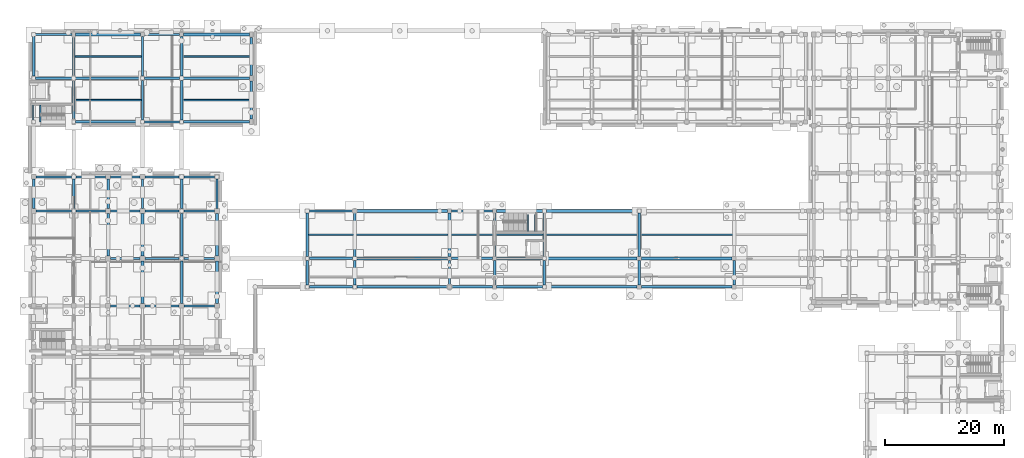
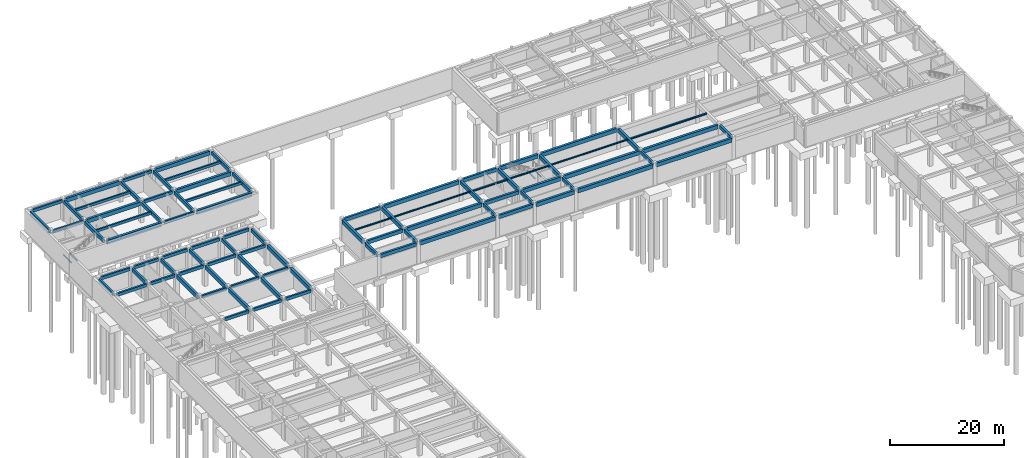
# One storey, part 17 of 35: 93 beams.
"""IFC4 building model written with IfcOpenShell, lengths in metres."""

from ifc_helpers import new_model, si_unit, direction, frame, origin, origin_2d, place, context, subcontext, project, spatial, rectangle, i_section, extrude, material, material_profile, profile_set, type_object, element, save


model = new_model("IFC4")

# Units and contexts
model_context = context("Model", 3, precision=1e-05, world=origin(), true_north=direction((0.0, 1.0)))
body_context = subcontext(model_context, "Body", "Model", "MODEL_VIEW")
ifc_project = project(units=[si_unit("LENGTHUNIT", "METRE"), si_unit("AREAUNIT", "SQUARE_METRE"), si_unit("VOLUMEUNIT", "CUBIC_METRE"), si_unit("PLANEANGLEUNIT", "RADIAN"), si_unit("MASSUNIT", "GRAM", prefix="KILO")], contexts=[model_context])

# Site, building, storey
site_placement = place(None, origin())
site = spatial("IfcSite", under=ifc_project, at=site_placement, CompositionType="ELEMENT")
building_placement = place(site_placement, origin())
building = spatial("IfcBuilding", under=site, at=building_placement, Name="Cinchona Park Media Centre", CompositionType="ELEMENT")
storey_placement = place(building_placement, frame((0.0, 0.0, -4.800048828125)))
storey = spatial("IfcBuildingStorey", under=building, at=storey_placement, Name="B1", CompositionType="ELEMENT", Elevation=-4.800048828125)

# Beams
ifc_material_1 = material(Name="Concrete C35/45", Category="concrete")
ifc_material_profile_1 = material_profile(ifc_material_1, rectangle(XDim=0.39990234375, YDim=0.75, at=origin_2d()), Name="RB 400X750")
ifc_profile_set_1 = profile_set([ifc_material_profile_1], Name="Concrete C35/45")
beam_type_1 = type_object("IfcBeamType", Name="BEAM-B01-RB400X750", PredefinedType="BEAM", material=ifc_profile_set_1)
beam_1_placement = place(storey_placement, frame((8.639892578125, 110.35009765625, 4.10009765625), z_axis=(0.0, 1.0, 0.0), x_axis=(-1.0, 0.0, 0.0)))
element("IfcBeam", 1, at=beam_1_placement, inside=storey, type_object=beam_type_1, Name="Girder B01 B1", PredefinedType="BEAM", context=body_context, shape_type="SweptSolid", body=[
    extrude(rectangle(XDim=0.39990234375, YDim=0.75, at=origin_2d()), origin(), (0.0, 0.0, 1.0), 6.659912109375),
])
for number, where, z_axis, x_axis, name in (
    (2, (15.39990234375, 103.090087890625, 4.10009765625), (0.0, 1.0, 0.0), (-1.0, 0.0, 0.0), "Girder B01 B1"),
    (3, (15.39990234375, 110.449951171875, 4.10009765625), (0.0, 1.0, 0.0), (-1.0, 0.0, 0.0), "Girder B01 B1"),
):
    element("IfcBeam", number, at=place(storey_placement, frame(where, z_axis=z_axis, x_axis=x_axis)), inside=storey, type_object=beam_type_1, Name=name, PredefinedType="BEAM", context=body_context, shape_type="SweptSolid", body=[
        extrude(rectangle(XDim=0.39990234375, YDim=0.75, at=origin_2d()), origin(), (0.0, 0.0, 1.0), 6.4599609375),
    ])
for number, where, z_axis, x_axis, name in (
    (4, (27.0, 102.989990234375, 4.10009765625), (0.0, 1.0, 0.0), (-1.0, 0.0, 0.0), "Girder B01 B1"),
    (5, (27.0, 110.35009765625, 4.10009765625), (0.0, 1.0, 0.0), (-1.0, 0.0, 0.0), "Girder B01 B1"),
    (6, (33.60009765625, 102.989990234375, 4.10009765625), (0.0, 1.0, 0.0), (-1.0, 0.0, 0.0), "Girder B01 B1"),
    (7, (33.60009765625, 110.35009765625, 4.10009765625), (0.0, 1.0, 0.0), (-1.0, 0.0, 0.0), "Girder B01 B1"),
):
    element("IfcBeam", number, at=place(storey_placement, frame(where, z_axis=z_axis, x_axis=x_axis)), inside=storey, type_object=beam_type_1, Name=name, PredefinedType="BEAM", context=body_context, shape_type="SweptSolid", body=[
        extrude(rectangle(XDim=0.39990234375, YDim=0.75, at=origin_2d()), origin(), (0.0, 0.0, 1.0), 6.659912109375),
    ])
for number, where, z_axis, x_axis, name in (
    (8, (45.360107421875, 103.090087890625, 4.10009765625), (0.0, 1.0, 0.0), (-1.0, 0.0, 0.0), "Girder B01 B1"),
    (9, (45.360107421875, 110.449951171875, 4.10009765625), (0.0, 1.0, 0.0), (-1.0, 0.0, 0.0), "Girder B01 B1"),
):
    element("IfcBeam", number, at=place(storey_placement, frame(where, z_axis=z_axis, x_axis=x_axis)), inside=storey, type_object=beam_type_1, Name=name, PredefinedType="BEAM", context=body_context, shape_type="SweptSolid", body=[
        extrude(rectangle(XDim=0.39990234375, YDim=0.75, at=origin_2d()), origin(), (0.0, 0.0, 1.0), 6.4599609375),
    ])
for number, where, z_axis, x_axis, name in (
    (10, (8.639892578125, 88.0, 4.125), (0.0, 1.0, 0.0), (-1.0, 0.0, 0.0), "Girder B01 B1"),
    (11, (15.39990234375, 88.0, 4.125), (0.0, 1.0, 0.0), (-1.0, 0.0, 0.0), "Girder B01 B1"),
    (12, (21.199951171875, 88.0, 4.125), (0.0, 1.0, 0.0), (-1.0, 0.0, 0.0), "Girder B01 B1"),
    (13, (27.0, 88.0, 4.125), (0.0, 1.0, 0.0), (-1.0, 0.0, 0.0), "Girder B01 B1"),
    (14, (33.60009765625, 88.0, 4.125), (0.0, 1.0, 0.0), (-1.0, 0.0, 0.0), "Girder B01 B1"),
    (15, (39.56005859375, 88.0, 4.125), (0.0, 1.0, 0.0), (-1.0, 0.0, 0.0), "Girder B01 B1"),
):
    element("IfcBeam", number, at=place(storey_placement, frame(where, z_axis=z_axis, x_axis=x_axis)), inside=storey, type_object=beam_type_1, Name=name, PredefinedType="BEAM", context=body_context, shape_type="SweptSolid", body=[
        extrude(rectangle(XDim=0.39990234375, YDim=0.75, at=origin_2d()), origin(), (0.0, 0.0, 1.0), 4.9599609375),
    ])
beam_2_placement = place(storey_placement, frame((55.14990234375, 74.800048828125, 4.14501953125), z_axis=(1.0, 0.0, 0.0), x_axis=(0.0, 1.0, 0.0)))
element("IfcBeam", 16, at=beam_2_placement, inside=storey, type_object=beam_type_1, Name="Beam B01 B1", PredefinedType="BEAM", context=body_context, shape_type="SweptSolid", body=[
    extrude(rectangle(XDim=0.39990234375, YDim=0.75, at=origin_2d()), origin(), (0.0, 0.0, 1.0), 7.300048828125),
])
beam_3_placement = place(storey_placement, frame((79.14990234375, 74.800048828125, 4.14501953125), z_axis=(1.0, 0.0, 0.0), x_axis=(0.0, 1.0, 0.0)))
element("IfcBeam", 17, at=beam_3_placement, inside=storey, type_object=beam_type_1, Name="Beam B01 B1", PredefinedType="BEAM", context=body_context, shape_type="SweptSolid", body=[
    extrude(rectangle(XDim=0.39990234375, YDim=0.75, at=origin_2d()), origin(), (0.0, 0.0, 1.0), 6.900146484375),
])
beam_4_placement = place(storey_placement, frame((55.14990234375, 79.60009765625, 4.14501953125), z_axis=(1.0, 0.0, 0.0), x_axis=(0.0, 1.0, 0.0)))
element("IfcBeam", 18, at=beam_4_placement, inside=storey, type_object=beam_type_1, Name="Beam B01 B1", PredefinedType="BEAM", context=body_context, shape_type="SweptSolid", body=[
    extrude(rectangle(XDim=0.39990234375, YDim=0.75, at=origin_2d()), origin(), (0.0, 0.0, 1.0), 7.300048828125),
])
beam_5_placement = place(storey_placement, frame((79.14990234375, 79.60009765625, 4.14501953125), z_axis=(1.0, 0.0, 0.0), x_axis=(0.0, 1.0, 0.0)))
element("IfcBeam", 19, at=beam_5_placement, inside=storey, type_object=beam_type_1, Name="Beam B01 B1", PredefinedType="BEAM", context=body_context, shape_type="SweptSolid", body=[
    extrude(rectangle(XDim=0.39990234375, YDim=0.75, at=origin_2d()), origin(), (0.0, 0.0, 1.0), 6.900146484375),
])
beam_6_placement = place(storey_placement, frame((55.14990234375, 87.60009765625, 4.14501953125), z_axis=(1.0, 0.0, 0.0), x_axis=(0.0, 1.0, 0.0)))
element("IfcBeam", 20, at=beam_6_placement, inside=storey, type_object=beam_type_1, Name="Beam B01 B1", PredefinedType="BEAM", context=body_context, shape_type="SweptSolid", body=[
    extrude(rectangle(XDim=0.39990234375, YDim=0.75, at=origin_2d()), origin(), (0.0, 0.0, 1.0), 7.300048828125),
])
beam_7_placement = place(storey_placement, frame((79.14990234375, 87.60009765625, 4.14501953125), z_axis=(1.0, 0.0, 0.0), x_axis=(0.0, 1.0, 0.0)))
element("IfcBeam", 21, at=beam_7_placement, inside=storey, type_object=beam_type_1, Name="Beam B01 B1", PredefinedType="BEAM", context=body_context, shape_type="SweptSolid", body=[
    extrude(rectangle(XDim=0.39990234375, YDim=0.75, at=origin_2d()), origin(), (0.0, 0.0, 1.0), 6.900146484375),
])
for number, where, z_axis, x_axis, name in (
    (22, (54.800048828125, 75.14990234375, 4.14501953125), (0.0, 1.0, 0.0), (-1.0, 0.0, 0.0), "Girder B01 B1"),
    (23, (62.800048828125, 75.14990234375, 4.14501953125), (0.0, 1.0, 0.0), (-1.0, 0.0, 0.0), "Girder B01 B1"),
    (24, (78.800048828125, 75.14990234375, 4.14501953125), (0.0, 1.0, 0.0), (-1.0, 0.0, 0.0), "Girder B01 B1"),
    (25, (86.39990234375, 75.14990234375, 4.14501953125), (0.0, 1.0, 0.0), (-1.0, 0.0, 0.0), "Girder B01 B1"),
    (26, (94.800048828125, 75.14990234375, 4.14501953125), (0.0, 1.0, 0.0), (-1.0, 0.0, 0.0), "Girder B01 B1"),
    (27, (110.800048828125, 75.14990234375, 4.14501953125), (0.0, 1.0, 0.0), (-1.0, 0.0, 0.0), "Girder B01 B1"),
    (28, (126.800048828125, 75.14990234375, 4.14501953125), (0.0, 1.0, 0.0), (-1.0, 0.0, 0.0), "Girder B01 B1"),
):
    element("IfcBeam", number, at=place(storey_placement, frame(where, z_axis=z_axis, x_axis=x_axis)), inside=storey, type_object=beam_type_1, Name=name, PredefinedType="BEAM", context=body_context, shape_type="SweptSolid", body=[
        extrude(rectangle(XDim=0.39990234375, YDim=0.75, at=origin_2d()), origin(), (0.0, 0.0, 1.0), 4.10009765625),
    ])
ifc_material_2 = material(Name="Concrete C35/45", Category="concrete")
ifc_material_profile_2 = material_profile(ifc_material_2, rectangle(XDim=0.449951171875, YDim=0.85009765625, at=origin_2d()), Name="RB 450X850")
ifc_profile_set_2 = profile_set([ifc_material_profile_2], Name="Concrete C35/45")
beam_type_2 = type_object("IfcBeamType", Name="BEAM-B02-RB450X850", PredefinedType="BEAM", material=ifc_profile_set_2)
beam_8_placement = place(storey_placement, frame((15.699951171875, 102.639892578125, 4.050048828125), z_axis=(1.0, 0.0, 0.0), x_axis=(0.0, 1.0, 0.0)))
element("IfcBeam", 29, at=beam_8_placement, inside=storey, type_object=beam_type_2, Name="Beam B02 B1", PredefinedType="BEAM", context=body_context, shape_type="SweptSolid", body=[
    extrude(rectangle(XDim=0.449951171875, YDim=0.85009765625, at=origin_2d()), origin(), (0.0, 0.0, 1.0), 10.949951171875),
])
beam_9_placement = place(storey_placement, frame((33.949951171875, 102.639892578125, 4.050048828125), z_axis=(1.0, 0.0, 0.0), x_axis=(0.0, 1.0, 0.0)))
element("IfcBeam", 30, at=beam_9_placement, inside=storey, type_object=beam_type_2, Name="Beam B02 B1", PredefinedType="BEAM", context=body_context, shape_type="SweptSolid", body=[
    extrude(rectangle(XDim=0.449951171875, YDim=0.85009765625, at=origin_2d()), origin(), (0.0, 0.0, 1.0), 11.110107421875),
])
beam_10_placement = place(storey_placement, frame((15.699951171875, 110.0, 4.050048828125), z_axis=(1.0, 0.0, 0.0), x_axis=(0.0, 1.0, 0.0)))
element("IfcBeam", 31, at=beam_10_placement, inside=storey, type_object=beam_type_2, Name="Beam B02 B1", PredefinedType="BEAM", context=body_context, shape_type="SweptSolid", body=[
    extrude(rectangle(XDim=0.449951171875, YDim=0.85009765625, at=origin_2d()), origin(), (0.0, 0.0, 1.0), 10.949951171875),
])
beam_11_placement = place(storey_placement, frame((33.949951171875, 110.0, 4.050048828125), z_axis=(1.0, 0.0, 0.0), x_axis=(0.0, 1.0, 0.0)))
element("IfcBeam", 32, at=beam_11_placement, inside=storey, type_object=beam_type_2, Name="Beam B02 B1", PredefinedType="BEAM", context=body_context, shape_type="SweptSolid", body=[
    extrude(rectangle(XDim=0.449951171875, YDim=0.85009765625, at=origin_2d()), origin(), (0.0, 0.0, 1.0), 11.110107421875),
])
beam_12_placement = place(storey_placement, frame((15.699951171875, 117.360107421875, 4.050048828125), z_axis=(1.0, 0.0, 0.0), x_axis=(0.0, 1.0, 0.0)))
element("IfcBeam", 33, at=beam_12_placement, inside=storey, type_object=beam_type_2, Name="Beam B02 B1", PredefinedType="BEAM", context=body_context, shape_type="SweptSolid", body=[
    extrude(rectangle(XDim=0.449951171875, YDim=0.85009765625, at=origin_2d()), origin(), (0.0, 0.0, 1.0), 10.949951171875),
])
beam_13_placement = place(storey_placement, frame((33.949951171875, 117.360107421875, 4.050048828125), z_axis=(1.0, 0.0, 0.0), x_axis=(0.0, 1.0, 0.0)))
element("IfcBeam", 34, at=beam_13_placement, inside=storey, type_object=beam_type_2, Name="Beam B02 B1", PredefinedType="BEAM", context=body_context, shape_type="SweptSolid", body=[
    extrude(rectangle(XDim=0.449951171875, YDim=0.85009765625, at=origin_2d()), origin(), (0.0, 0.0, 1.0), 11.110107421875),
])
for number, where, z_axis, x_axis, name in (
    (35, (21.199951171875, 80.0, 4.074951171875), (0.0, 1.0, 0.0), (-1.0, 0.0, 0.0), "Girder B02 B1"),
    (36, (27.0, 72.0, 4.074951171875), (0.0, 1.0, 0.0), (-1.0, 0.0, 0.0), "Girder B02 B1"),
    (37, (27.0, 80.0, 4.074951171875), (0.0, 1.0, 0.0), (-1.0, 0.0, 0.0), "Girder B02 B1"),
    (38, (33.60009765625, 72.0, 4.074951171875), (0.0, 1.0, 0.0), (-1.0, 0.0, 0.0), "Girder B02 B1"),
    (39, (33.60009765625, 80.0, 4.074951171875), (0.0, 1.0, 0.0), (-1.0, 0.0, 0.0), "Girder B02 B1"),
    (40, (39.56005859375, 72.0, 4.074951171875), (0.0, 1.0, 0.0), (-1.0, 0.0, 0.0), "Girder B02 B1"),
    (41, (39.56005859375, 80.0, 4.074951171875), (0.0, 1.0, 0.0), (-1.0, 0.0, 0.0), "Girder B02 B1"),
):
    element("IfcBeam", number, at=place(storey_placement, frame(where, z_axis=z_axis, x_axis=x_axis)), inside=storey, type_object=beam_type_2, Name=name, PredefinedType="BEAM", context=body_context, shape_type="SweptSolid", body=[
        extrude(rectangle(XDim=0.449951171875, YDim=0.85009765625, at=origin_2d()), origin(), (0.0, 0.0, 1.0), 7.199951171875),
    ])
beam_14_placement = place(storey_placement, frame((63.14990234375, 74.800048828125, 4.094970703125), z_axis=(1.0, 0.0, 0.0), x_axis=(0.0, 1.0, 0.0)))
element("IfcBeam", 42, at=beam_14_placement, inside=storey, type_object=beam_type_2, Name="Beam B02 B1", PredefinedType="BEAM", context=body_context, shape_type="SweptSolid", body=[
    extrude(rectangle(XDim=0.449951171875, YDim=0.85009765625, at=origin_2d()), origin(), (0.0, 0.0, 1.0), 15.300048828125),
])
beam_15_placement = place(storey_placement, frame((86.75, 74.800048828125, 4.094970703125), z_axis=(1.0, 0.0, 0.0), x_axis=(0.0, 1.0, 0.0)))
element("IfcBeam", 43, at=beam_15_placement, inside=storey, type_object=beam_type_2, Name="Beam B02 B1", PredefinedType="BEAM", context=body_context, shape_type="SweptSolid", body=[
    extrude(rectangle(XDim=0.449951171875, YDim=0.85009765625, at=origin_2d()), origin(), (0.0, 0.0, 1.0), 7.699951171875),
])
for number, where, z_axis, x_axis, name in (
    (44, (95.14990234375, 74.800048828125, 4.094970703125), (1.0, 0.0, 0.0), (0.0, 1.0, 0.0), "Beam B02 B1"),
    (45, (111.14990234375, 74.800048828125, 4.094970703125), (1.0, 0.0, 0.0), (0.0, 1.0, 0.0), "Beam B02 B1"),
    (46, (63.14990234375, 79.60009765625, 4.094970703125), (1.0, 0.0, 0.0), (0.0, 1.0, 0.0), "Beam B02 B1"),
):
    element("IfcBeam", number, at=place(storey_placement, frame(where, z_axis=z_axis, x_axis=x_axis)), inside=storey, type_object=beam_type_2, Name=name, PredefinedType="BEAM", context=body_context, shape_type="SweptSolid", body=[
        extrude(rectangle(XDim=0.449951171875, YDim=0.85009765625, at=origin_2d()), origin(), (0.0, 0.0, 1.0), 15.300048828125),
    ])
beam_16_placement = place(storey_placement, frame((86.75, 79.60009765625, 4.094970703125), z_axis=(1.0, 0.0, 0.0), x_axis=(0.0, 1.0, 0.0)))
element("IfcBeam", 47, at=beam_16_placement, inside=storey, type_object=beam_type_2, Name="Beam B02 B1", PredefinedType="BEAM", context=body_context, shape_type="SweptSolid", body=[
    extrude(rectangle(XDim=0.449951171875, YDim=0.85009765625, at=origin_2d()), origin(), (0.0, 0.0, 1.0), 7.699951171875),
])
for number, where, z_axis, x_axis, name in (
    (48, (95.14990234375, 79.60009765625, 4.094970703125), (1.0, 0.0, 0.0), (0.0, 1.0, 0.0), "Beam B02 B1"),
    (49, (111.14990234375, 79.60009765625, 4.094970703125), (1.0, 0.0, 0.0), (0.0, 1.0, 0.0), "Beam B02 B1"),
    (50, (63.14990234375, 87.60009765625, 4.094970703125), (1.0, 0.0, 0.0), (0.0, 1.0, 0.0), "Beam B02 B1"),
):
    element("IfcBeam", number, at=place(storey_placement, frame(where, z_axis=z_axis, x_axis=x_axis)), inside=storey, type_object=beam_type_2, Name=name, PredefinedType="BEAM", context=body_context, shape_type="SweptSolid", body=[
        extrude(rectangle(XDim=0.449951171875, YDim=0.85009765625, at=origin_2d()), origin(), (0.0, 0.0, 1.0), 15.300048828125),
    ])
beam_17_placement = place(storey_placement, frame((86.75, 87.60009765625, 4.094970703125), z_axis=(1.0, 0.0, 0.0), x_axis=(0.0, 1.0, 0.0)))
element("IfcBeam", 51, at=beam_17_placement, inside=storey, type_object=beam_type_2, Name="Beam B02 B1", PredefinedType="BEAM", context=body_context, shape_type="SweptSolid", body=[
    extrude(rectangle(XDim=0.449951171875, YDim=0.85009765625, at=origin_2d()), origin(), (0.0, 0.0, 1.0), 7.699951171875),
])
beam_18_placement = place(storey_placement, frame((95.14990234375, 87.60009765625, 4.094970703125), z_axis=(1.0, 0.0, 0.0), x_axis=(0.0, 1.0, 0.0)))
element("IfcBeam", 52, at=beam_18_placement, inside=storey, type_object=beam_type_2, Name="Beam B02 B1", PredefinedType="BEAM", context=body_context, shape_type="SweptSolid", body=[
    extrude(rectangle(XDim=0.449951171875, YDim=0.85009765625, at=origin_2d()), origin(), (0.0, 0.0, 1.0), 15.300048828125),
])
for number, where, z_axis, x_axis, name in (
    (53, (54.800048828125, 79.949951171875, 4.094970703125), (0.0, 1.0, 0.0), (-1.0, 0.0, 0.0), "Girder B02 B1"),
    (54, (62.800048828125, 79.949951171875, 4.094970703125), (0.0, 1.0, 0.0), (-1.0, 0.0, 0.0), "Girder B02 B1"),
    (55, (78.800048828125, 79.949951171875, 4.094970703125), (0.0, 1.0, 0.0), (-1.0, 0.0, 0.0), "Girder B02 B1"),
    (56, (86.39990234375, 79.949951171875, 4.094970703125), (0.0, 1.0, 0.0), (-1.0, 0.0, 0.0), "Girder B02 B1"),
    (57, (94.800048828125, 79.949951171875, 4.094970703125), (0.0, 1.0, 0.0), (-1.0, 0.0, 0.0), "Girder B02 B1"),
    (58, (110.800048828125, 79.949951171875, 4.094970703125), (0.0, 1.0, 0.0), (-1.0, 0.0, 0.0), "Girder B02 B1"),
):
    element("IfcBeam", number, at=place(storey_placement, frame(where, z_axis=z_axis, x_axis=x_axis)), inside=storey, type_object=beam_type_2, Name=name, PredefinedType="BEAM", context=body_context, shape_type="SweptSolid", body=[
        extrude(rectangle(XDim=0.449951171875, YDim=0.85009765625, at=origin_2d()), origin(), (0.0, 0.0, 1.0), 7.300048828125),
    ])
ifc_material_3 = material(Name="Concrete C35/45", Category="concrete")
ifc_material_profile_3 = material_profile(ifc_material_3, rectangle(XDim=0.35009765625, YDim=0.64990234375, at=origin_2d()), Name="RB 350X650")
ifc_profile_set_3 = profile_set([ifc_material_profile_3], Name="Concrete C35/45")
beam_type_3 = type_object("IfcBeamType", Name="BEAM-B04-RB350X650", PredefinedType="BEAM", material=ifc_profile_set_3)
beam_19_placement = place(storey_placement, frame((27.35009765625, 102.639892578125, 4.150146484375), z_axis=(1.0, 0.0, 0.0), x_axis=(0.0, 1.0, 0.0)))
element("IfcBeam", 59, at=beam_19_placement, inside=storey, type_object=beam_type_3, Name="Beam B04 B1", PredefinedType="BEAM", context=body_context, shape_type="SweptSolid", body=[
    extrude(rectangle(XDim=0.35009765625, YDim=0.64990234375, at=origin_2d()), origin(), (0.0, 0.0, 1.0), 5.89990234375),
])
beam_20_placement = place(storey_placement, frame((8.989990234375, 110.0, 4.150146484375), z_axis=(1.0, 0.0, 0.0), x_axis=(0.0, 1.0, 0.0)))
element("IfcBeam", 60, at=beam_20_placement, inside=storey, type_object=beam_type_3, Name="Beam B04 B1", PredefinedType="BEAM", context=body_context, shape_type="SweptSolid", body=[
    extrude(rectangle(XDim=0.35009765625, YDim=0.64990234375, at=origin_2d()), origin(), (0.0, 0.0, 1.0), 6.110107421875),
])
beam_21_placement = place(storey_placement, frame((27.35009765625, 110.0, 4.150146484375), z_axis=(1.0, 0.0, 0.0), x_axis=(0.0, 1.0, 0.0)))
element("IfcBeam", 61, at=beam_21_placement, inside=storey, type_object=beam_type_3, Name="Beam B04 B1", PredefinedType="BEAM", context=body_context, shape_type="SweptSolid", body=[
    extrude(rectangle(XDim=0.35009765625, YDim=0.64990234375, at=origin_2d()), origin(), (0.0, 0.0, 1.0), 5.89990234375),
])
beam_22_placement = place(storey_placement, frame((8.989990234375, 117.360107421875, 4.150146484375), z_axis=(1.0, 0.0, 0.0), x_axis=(0.0, 1.0, 0.0)))
element("IfcBeam", 62, at=beam_22_placement, inside=storey, type_object=beam_type_3, Name="Beam B04 B1", PredefinedType="BEAM", context=body_context, shape_type="SweptSolid", body=[
    extrude(rectangle(XDim=0.35009765625, YDim=0.64990234375, at=origin_2d()), origin(), (0.0, 0.0, 1.0), 6.110107421875),
])
beam_23_placement = place(storey_placement, frame((27.35009765625, 117.360107421875, 4.150146484375), z_axis=(1.0, 0.0, 0.0), x_axis=(0.0, 1.0, 0.0)))
element("IfcBeam", 63, at=beam_23_placement, inside=storey, type_object=beam_type_3, Name="Beam B04 B1", PredefinedType="BEAM", context=body_context, shape_type="SweptSolid", body=[
    extrude(rectangle(XDim=0.35009765625, YDim=0.64990234375, at=origin_2d()), origin(), (0.0, 0.0, 1.0), 5.89990234375),
])
beam_24_placement = place(storey_placement, frame((21.60009765625, 71.60009765625, 4.175048828125), z_axis=(1.0, 0.0, 0.0), x_axis=(0.0, 1.0, 0.0)))
element("IfcBeam", 64, at=beam_24_placement, inside=storey, type_object=beam_type_3, Name="Beam B04 B1", PredefinedType="BEAM", context=body_context, shape_type="SweptSolid", body=[
    extrude(rectangle(XDim=0.35009765625, YDim=0.64990234375, at=origin_2d()), origin(), (0.0, 0.0, 1.0), 5.0),
])
beam_25_placement = place(storey_placement, frame((27.39990234375, 71.60009765625, 4.175048828125), z_axis=(1.0, 0.0, 0.0), x_axis=(0.0, 1.0, 0.0)))
element("IfcBeam", 65, at=beam_25_placement, inside=storey, type_object=beam_type_3, Name="Beam B04 B1", PredefinedType="BEAM", context=body_context, shape_type="SweptSolid", body=[
    extrude(rectangle(XDim=0.35009765625, YDim=0.64990234375, at=origin_2d()), origin(), (0.0, 0.0, 1.0), 5.800048828125),
])
beam_26_placement = place(storey_placement, frame((34.0, 71.60009765625, 4.175048828125), z_axis=(1.0, 0.0, 0.0), x_axis=(0.0, 1.0, 0.0)))
element("IfcBeam", 66, at=beam_26_placement, inside=storey, type_object=beam_type_3, Name="Beam B04 B1", PredefinedType="BEAM", context=body_context, shape_type="SweptSolid", body=[
    extrude(rectangle(XDim=0.35009765625, YDim=0.64990234375, at=origin_2d()), origin(), (0.0, 0.0, 1.0), 5.159912109375),
])
beam_27_placement = place(storey_placement, frame((21.60009765625, 79.60009765625, 4.175048828125), z_axis=(1.0, 0.0, 0.0), x_axis=(0.0, 1.0, 0.0)))
element("IfcBeam", 67, at=beam_27_placement, inside=storey, type_object=beam_type_3, Name="Beam B04 B1", PredefinedType="BEAM", context=body_context, shape_type="SweptSolid", body=[
    extrude(rectangle(XDim=0.35009765625, YDim=0.64990234375, at=origin_2d()), origin(), (0.0, 0.0, 1.0), 5.0),
])
beam_28_placement = place(storey_placement, frame((27.39990234375, 79.60009765625, 4.175048828125), z_axis=(1.0, 0.0, 0.0), x_axis=(0.0, 1.0, 0.0)))
element("IfcBeam", 68, at=beam_28_placement, inside=storey, type_object=beam_type_3, Name="Beam B04 B1", PredefinedType="BEAM", context=body_context, shape_type="SweptSolid", body=[
    extrude(rectangle(XDim=0.35009765625, YDim=0.64990234375, at=origin_2d()), origin(), (0.0, 0.0, 1.0), 5.800048828125),
])
beam_29_placement = place(storey_placement, frame((34.0, 79.60009765625, 4.175048828125), z_axis=(1.0, 0.0, 0.0), x_axis=(0.0, 1.0, 0.0)))
element("IfcBeam", 69, at=beam_29_placement, inside=storey, type_object=beam_type_3, Name="Beam B04 B1", PredefinedType="BEAM", context=body_context, shape_type="SweptSolid", body=[
    extrude(rectangle(XDim=0.35009765625, YDim=0.64990234375, at=origin_2d()), origin(), (0.0, 0.0, 1.0), 5.159912109375),
])
beam_30_placement = place(storey_placement, frame((9.0400390625, 87.60009765625, 4.175048828125), z_axis=(1.0, 0.0, 0.0), x_axis=(0.0, 1.0, 0.0)))
element("IfcBeam", 70, at=beam_30_placement, inside=storey, type_object=beam_type_3, Name="Beam B04 B1", PredefinedType="BEAM", context=body_context, shape_type="SweptSolid", body=[
    extrude(rectangle(XDim=0.35009765625, YDim=0.64990234375, at=origin_2d()), origin(), (0.0, 0.0, 1.0), 5.9599609375),
])
for number, where, z_axis, x_axis, name in (
    (71, (15.800048828125, 87.60009765625, 4.175048828125), (1.0, 0.0, 0.0), (0.0, 1.0, 0.0), "Beam B04 B1"),
    (72, (21.60009765625, 87.60009765625, 4.175048828125), (1.0, 0.0, 0.0), (0.0, 1.0, 0.0), "Beam B04 B1"),
):
    element("IfcBeam", number, at=place(storey_placement, frame(where, z_axis=z_axis, x_axis=x_axis)), inside=storey, type_object=beam_type_3, Name=name, PredefinedType="BEAM", context=body_context, shape_type="SweptSolid", body=[
        extrude(rectangle(XDim=0.35009765625, YDim=0.64990234375, at=origin_2d()), origin(), (0.0, 0.0, 1.0), 5.0),
    ])
beam_31_placement = place(storey_placement, frame((27.39990234375, 87.60009765625, 4.175048828125), z_axis=(1.0, 0.0, 0.0), x_axis=(0.0, 1.0, 0.0)))
element("IfcBeam", 73, at=beam_31_placement, inside=storey, type_object=beam_type_3, Name="Beam B04 B1", PredefinedType="BEAM", context=body_context, shape_type="SweptSolid", body=[
    extrude(rectangle(XDim=0.35009765625, YDim=0.64990234375, at=origin_2d()), origin(), (0.0, 0.0, 1.0), 5.800048828125),
])
beam_32_placement = place(storey_placement, frame((34.0, 87.60009765625, 4.175048828125), z_axis=(1.0, 0.0, 0.0), x_axis=(0.0, 1.0, 0.0)))
element("IfcBeam", 74, at=beam_32_placement, inside=storey, type_object=beam_type_3, Name="Beam B04 B1", PredefinedType="BEAM", context=body_context, shape_type="SweptSolid", body=[
    extrude(rectangle(XDim=0.35009765625, YDim=0.64990234375, at=origin_2d()), origin(), (0.0, 0.0, 1.0), 5.159912109375),
])
beam_33_placement = place(storey_placement, frame((9.0400390625, 93.360107421875, 4.175048828125), z_axis=(1.0, 0.0, 0.0), x_axis=(0.0, 1.0, 0.0)))
element("IfcBeam", 75, at=beam_33_placement, inside=storey, type_object=beam_type_3, Name="Beam B04 B1", PredefinedType="BEAM", context=body_context, shape_type="SweptSolid", body=[
    extrude(rectangle(XDim=0.35009765625, YDim=0.64990234375, at=origin_2d()), origin(), (0.0, 0.0, 1.0), 5.9599609375),
])
for number, where, z_axis, x_axis, name in (
    (76, (15.800048828125, 93.360107421875, 4.175048828125), (1.0, 0.0, 0.0), (0.0, 1.0, 0.0), "Beam B04 B1"),
    (77, (21.60009765625, 93.360107421875, 4.175048828125), (1.0, 0.0, 0.0), (0.0, 1.0, 0.0), "Beam B04 B1"),
):
    element("IfcBeam", number, at=place(storey_placement, frame(where, z_axis=z_axis, x_axis=x_axis)), inside=storey, type_object=beam_type_3, Name=name, PredefinedType="BEAM", context=body_context, shape_type="SweptSolid", body=[
        extrude(rectangle(XDim=0.35009765625, YDim=0.64990234375, at=origin_2d()), origin(), (0.0, 0.0, 1.0), 5.0),
    ])
beam_34_placement = place(storey_placement, frame((27.39990234375, 93.360107421875, 4.175048828125), z_axis=(1.0, 0.0, 0.0), x_axis=(0.0, 1.0, 0.0)))
element("IfcBeam", 78, at=beam_34_placement, inside=storey, type_object=beam_type_3, Name="Beam B04 B1", PredefinedType="BEAM", context=body_context, shape_type="SweptSolid", body=[
    extrude(rectangle(XDim=0.35009765625, YDim=0.64990234375, at=origin_2d()), origin(), (0.0, 0.0, 1.0), 5.800048828125),
])
beam_35_placement = place(storey_placement, frame((34.0, 93.360107421875, 4.175048828125), z_axis=(1.0, 0.0, 0.0), x_axis=(0.0, 1.0, 0.0)))
element("IfcBeam", 79, at=beam_35_placement, inside=storey, type_object=beam_type_3, Name="Beam B04 B1", PredefinedType="BEAM", context=body_context, shape_type="SweptSolid", body=[
    extrude(rectangle(XDim=0.35009765625, YDim=0.64990234375, at=origin_2d()), origin(), (0.0, 0.0, 1.0), 5.159912109375),
])
ifc_material_4 = material(Name="Steel S355", Category="steel")
ifc_material_profile_4 = material_profile(ifc_material_4, i_section(OverallWidth=0.202880859375, OverallDepth=0.202880859375, WebThickness=0.007080078125, FlangeThickness=0.010986328125, at=origin_2d()), Name="W200X46")
ifc_profile_set_4 = profile_set([ifc_material_profile_4], Name="Steel S355")
beam_type_4 = type_object("IfcBeamType", Name="BEAM-B10-W200X46", PredefinedType="BEAM", material=ifc_profile_set_4)
for number, where, z_axis, x_axis, name in (
    (80, (8.5400390625, 105.469970703125, 2.093505859375), (0.0, -1.0, 0.0), (1.0, 0.0, 0.0), "Stair Landing Bearer Beam B10 ST4 B1"),
    (81, (9.760009765625, 105.469970703125, 2.093505859375), (0.0, -1.0, 0.0), (1.0, 0.0, 0.0), "Stair Landing Bearer Beam B10 ST4 B1"),
):
    element("IfcBeam", number, at=place(storey_placement, frame(where, z_axis=z_axis, x_axis=x_axis)), inside=storey, type_object=beam_type_4, Name=name, PredefinedType="BEAM", context=body_context, shape_type="SweptSolid", body=[
        extrude(i_section(OverallWidth=0.202880859375, OverallDepth=0.202880859375, WebThickness=0.007080078125, FlangeThickness=0.010986328125, at=origin_2d()), origin(), (0.0, 0.0, 1.0), 2.869873046875),
    ])
for number, where, z_axis, x_axis, name in (
    (82, (92.0400390625, 84.1298828125, 2.093505859375), (0.0, 1.0, 0.0), (-1.0, 0.0, 0.0), "Stair Landing Bearer Beam B10 ST5 B1"),
    (83, (93.260009765625, 84.1298828125, 2.093505859375), (0.0, 1.0, 0.0), (-1.0, 0.0, 0.0), "Stair Landing Bearer Beam B10 ST5 B1"),
):
    element("IfcBeam", number, at=place(storey_placement, frame(where, z_axis=z_axis, x_axis=x_axis)), inside=storey, type_object=beam_type_4, Name=name, PredefinedType="BEAM", context=body_context, shape_type="SweptSolid", body=[
        extrude(i_section(OverallWidth=0.202880859375, OverallDepth=0.202880859375, WebThickness=0.007080078125, FlangeThickness=0.010986328125, at=origin_2d()), origin(), (0.0, 0.0, 1.0), 2.8701171875),
    ])
ifc_material_5 = material(Name="Concrete C35/45", Category="concrete")
ifc_material_profile_5 = material_profile(ifc_material_5, rectangle(XDim=0.300048828125, YDim=0.550048828125, at=origin_2d()), Name="RB 300X550")
ifc_profile_set_5 = profile_set([ifc_material_profile_5], Name="Concrete C35/45")
beam_type_5 = type_object("IfcBeamType", Name="BEAM-J01-RB300X550", PredefinedType="JOIST", material=ifc_profile_set_5)
for number, where, z_axis, x_axis, name in (
    (84, (15.60009765625, 106.320068359375, 4.199951171875), (1.0, 0.0, 0.0), (0.0, 1.0, 0.0), "Floor Joist J01 B1"),
    (85, (15.60009765625, 113.679931640625, 4.199951171875), (1.0, 0.0, 0.0), (0.0, 1.0, 0.0), "Floor Joist J01 B1"),
):
    element("IfcBeam", number, at=place(storey_placement, frame(where, z_axis=z_axis, x_axis=x_axis)), inside=storey, type_object=beam_type_5, Name=name, PredefinedType="JOIST", context=body_context, shape_type="SweptSolid", body=[
        extrude(rectangle(XDim=0.300048828125, YDim=0.550048828125, at=origin_2d()), origin(), (0.0, 0.0, 1.0), 11.199951171875),
    ])
for number, where, z_axis, x_axis, name in (
    (86, (33.800048828125, 106.320068359375, 4.199951171875), (1.0, 0.0, 0.0), (0.0, 1.0, 0.0), "Floor Joist J01 B1"),
    (87, (33.800048828125, 113.679931640625, 4.199951171875), (1.0, 0.0, 0.0), (0.0, 1.0, 0.0), "Floor Joist J01 B1"),
):
    element("IfcBeam", number, at=place(storey_placement, frame(where, z_axis=z_axis, x_axis=x_axis)), inside=storey, type_object=beam_type_5, Name=name, PredefinedType="JOIST", context=body_context, shape_type="SweptSolid", body=[
        extrude(rectangle(XDim=0.300048828125, YDim=0.550048828125, at=origin_2d()), origin(), (0.0, 0.0, 1.0), 11.35986328125),
    ])
ifc_material_6 = material(Name="Steel S355", Category="steel")
ifc_material_profile_6 = material_profile(ifc_material_6, i_section(OverallWidth=0.304931640625, OverallDepth=0.30810546875, WebThickness=0.010009765625, FlangeThickness=0.015380859375, at=origin_2d()), Name="W310X97")
ifc_profile_set_6 = profile_set([ifc_material_profile_6], Name="Steel S355")
beam_type_6 = type_object("IfcBeamType", Name="BEAM-J02-W310X97", PredefinedType="JOIST", material=ifc_profile_set_6)
beam_36_placement = place(storey_placement, frame((79.02490234375, 83.60009765625, 4.365966796875), z_axis=(1.0, 0.0, 0.0), x_axis=(0.0, 1.0, 0.0)))
element("IfcBeam", 88, at=beam_36_placement, inside=storey, type_object=beam_type_6, Name="Floor Joist J02 B1", PredefinedType="JOIST", context=body_context, shape_type="SweptSolid", body=[
    extrude(i_section(OverallWidth=0.304931640625, OverallDepth=0.30810546875, WebThickness=0.010009765625, FlangeThickness=0.015380859375, at=origin_2d()), origin(), (0.0, 0.0, 1.0), 7.150146484375),
])
beam_37_placement = place(storey_placement, frame((111.02490234375, 83.60009765625, 4.365966796875), z_axis=(1.0, 0.0, 0.0), x_axis=(0.0, 1.0, 0.0)))
element("IfcBeam", 89, at=beam_37_placement, inside=storey, type_object=beam_type_6, Name="Floor Joist J02 B1", PredefinedType="JOIST", context=body_context, shape_type="SweptSolid", body=[
    extrude(i_section(OverallWidth=0.304931640625, OverallDepth=0.30810546875, WebThickness=0.010009765625, FlangeThickness=0.015380859375, at=origin_2d()), origin(), (0.0, 0.0, 1.0), 15.550048828125),
])
ifc_material_7 = material(Name="Steel S355", Category="steel")
ifc_material_profile_7 = material_profile(ifc_material_7, i_section(OverallWidth=0.202880859375, OverallDepth=0.302978515625, WebThickness=0.007568359375, FlangeThickness=0.01318359375, at=origin_2d()), Name="W310X60")
ifc_profile_set_7 = profile_set([ifc_material_profile_7], Name="Steel S355")
beam_type_7 = type_object("IfcBeamType", Name="BEAM-J03-W310X60", PredefinedType="JOIST", material=ifc_profile_set_7)
beam_38_placement = place(storey_placement, frame((55.02490234375, 83.60009765625, 4.36865234375), z_axis=(1.0, 0.0, 0.0), x_axis=(0.0, 1.0, 0.0)))
element("IfcBeam", 90, at=beam_38_placement, inside=storey, type_object=beam_type_7, Name="Floor Joist J03 B1", PredefinedType="JOIST", context=body_context, shape_type="SweptSolid", body=[
    extrude(i_section(OverallWidth=0.202880859375, OverallDepth=0.302978515625, WebThickness=0.007568359375, FlangeThickness=0.01318359375, at=origin_2d()), origin(), (0.0, 0.0, 1.0), 7.550048828125),
])
beam_39_placement = place(storey_placement, frame((86.625, 83.60009765625, 4.36865234375), z_axis=(1.0, 0.0, 0.0), x_axis=(0.0, 1.0, 0.0)))
element("IfcBeam", 91, at=beam_39_placement, inside=storey, type_object=beam_type_7, Name="Floor Joist J03 B1", PredefinedType="JOIST", context=body_context, shape_type="SweptSolid", body=[
    extrude(i_section(OverallWidth=0.202880859375, OverallDepth=0.302978515625, WebThickness=0.007568359375, FlangeThickness=0.01318359375, at=origin_2d()), origin(), (0.0, 0.0, 1.0), 7.949951171875),
])
ifc_material_8 = material(Name="Steel S355", Category="steel")
ifc_material_profile_8 = material_profile(ifc_material_8, i_section(OverallWidth=0.25390625, OverallDepth=0.2529296875, WebThickness=0.008544921875, FlangeThickness=0.01416015625, at=origin_2d()), Name="W250X73")
ifc_profile_set_8 = profile_set([ifc_material_profile_8], Name="Steel S355")
beam_type_8 = type_object("IfcBeamType", Name="BEAM-J04-W250X73", PredefinedType="JOIST", material=ifc_profile_set_8)
for number, where, z_axis, x_axis, name in (
    (92, (63.02490234375, 83.60009765625, 4.3935546875), (1.0, 0.0, 0.0), (0.0, 1.0, 0.0), "Floor Joist J04 B1"),
    (93, (95.02490234375, 83.60009765625, 4.3935546875), (1.0, 0.0, 0.0), (0.0, 1.0, 0.0), "Floor Joist J04 B1"),
):
    element("IfcBeam", number, at=place(storey_placement, frame(where, z_axis=z_axis, x_axis=x_axis)), inside=storey, type_object=beam_type_8, Name=name, PredefinedType="JOIST", context=body_context, shape_type="SweptSolid", body=[
        extrude(i_section(OverallWidth=0.25390625, OverallDepth=0.2529296875, WebThickness=0.008544921875, FlangeThickness=0.01416015625, at=origin_2d()), origin(), (0.0, 0.0, 1.0), 15.550048828125),
    ])

save(model, "model.ifc")
